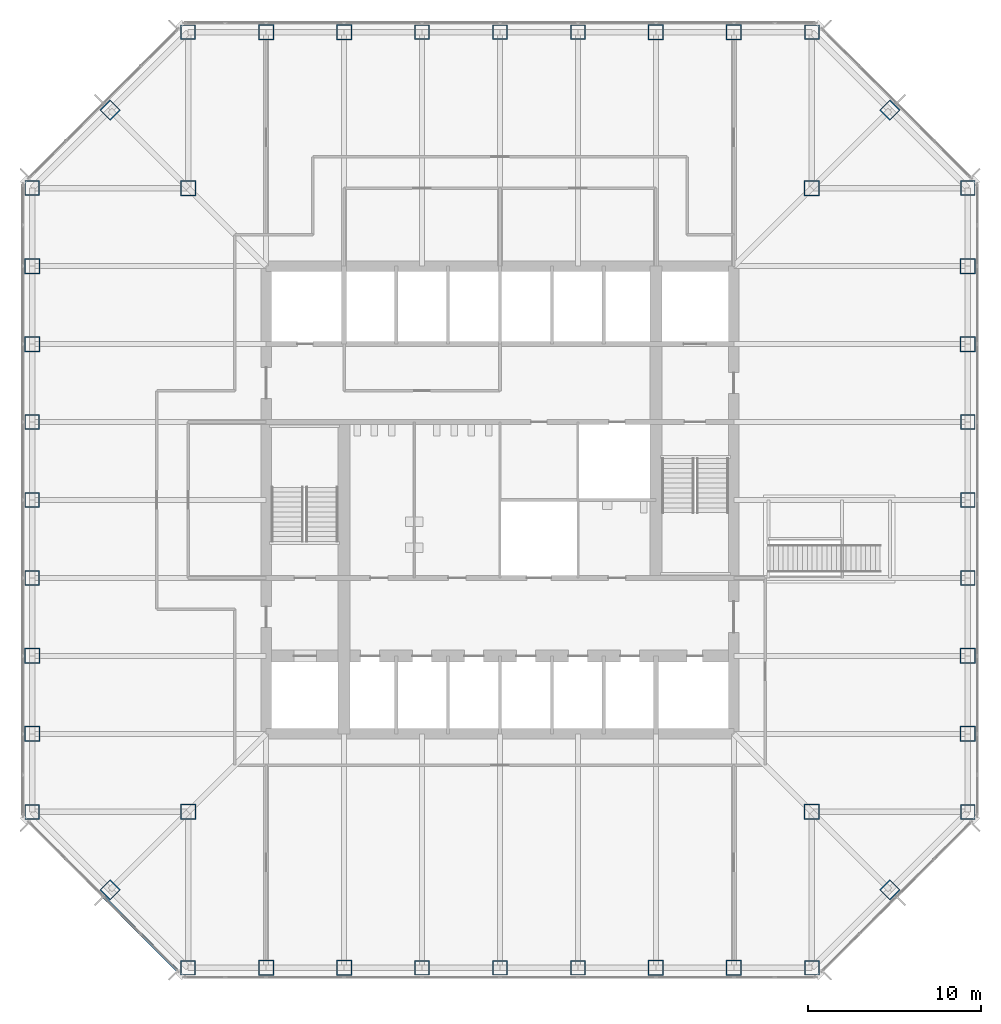
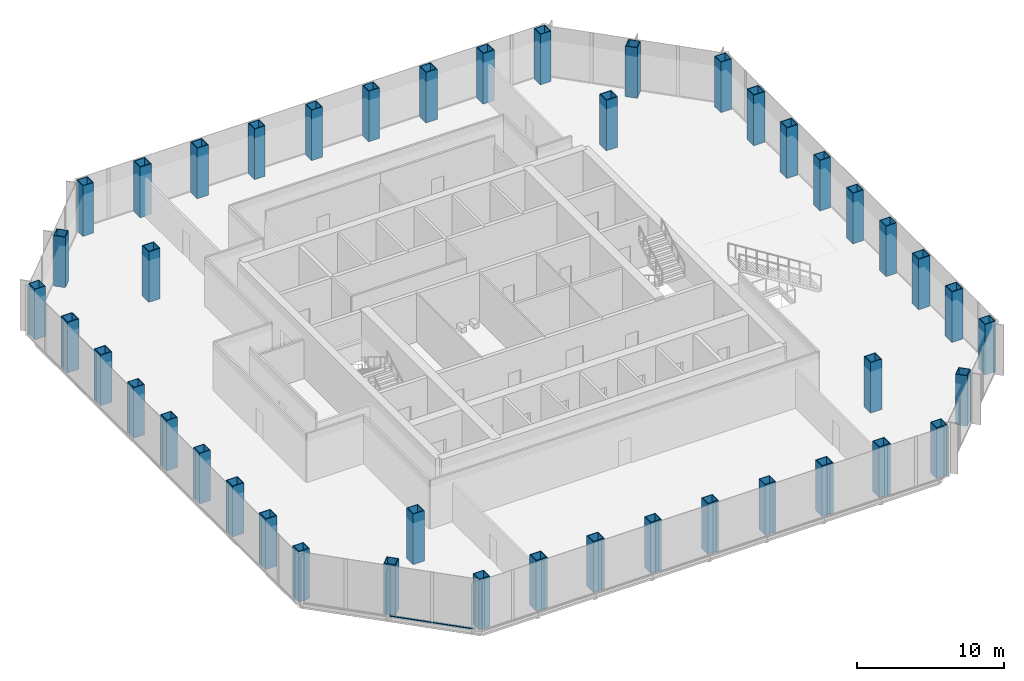
# One storey, part 1 of 12: 44 columns, 2 members, 1 element without a shape of its own.
"""IFC4 building model written with IfcOpenShell, lengths in metres."""

from ifc_helpers import new_model, si_unit, direction, frame, origin, origin_2d, place, context, subcontext, project, spatial, rectangle, hollow_rectangle, extrude, material, material_profile, profile_set, type_object, element, aggregate, save


model = new_model("IFC4")

# Units and contexts
model_context = context("Model", 3, precision=1e-05, world=origin(), true_north=direction((0.0, 1.0)))
body_context = subcontext(model_context, "Body", "Model", "MODEL_VIEW")
ifc_project = project(units=[si_unit("LENGTHUNIT", "METRE"), si_unit("AREAUNIT", "SQUARE_METRE"), si_unit("VOLUMEUNIT", "CUBIC_METRE"), si_unit("PLANEANGLEUNIT", "RADIAN"), si_unit("MASSUNIT", "GRAM", prefix="KILO")], contexts=[model_context])

# Site, building, storey
site_placement = place(None, origin())
site = spatial("IfcSite", under=ifc_project, at=site_placement, CompositionType="ELEMENT")
building_placement = place(site_placement, origin())
building = spatial("IfcBuilding", under=site, at=building_placement, Name="Corais Broadcast Tower", CompositionType="ELEMENT")
storey_placement = place(building_placement, frame((0.0, 0.0, 33.199951171875)))
storey = spatial("IfcBuildingStorey", under=building, at=storey_placement, Name="L06", CompositionType="ELEMENT", Elevation=33.199951171875)

# Columns
ifc_material_1 = material(Name="Steel ASTM A572 Grade 50", Category="steel")
ifc_material_profile_1 = material_profile(ifc_material_1, hollow_rectangle(XDim=0.85009765625, YDim=0.85009765625, WallThickness=0.050048828125, at=origin_2d()), Name="BOX 850x850x50")
ifc_profile_set_1 = profile_set([ifc_material_profile_1], Name="Steel ASTM A572 Grade 50")
column_type_1 = type_object("IfcColumnType", Name="Column BOX 850x850x50", PredefinedType="COLUMN", material=ifc_profile_set_1)
for number, where, z_axis, x_axis, name in (
    (1, (9.0, 0.0, 0.0), (0.0, 0.0, 1.0), (1.0, 0.0, 0.0), "C1 A/5"),
    (2, (22.5, 0.0, 0.0), (0.0, 0.0, 1.0), (1.0, 0.0, 0.0), "C1 A/8"),
    (3, (27.0, 0.0, 0.0), (0.0, 0.0, 1.0), (1.0, 0.0, 0.0), "C1 A/9"),
    (4, (31.5, 0.0, 0.0), (0.0, 0.0, 1.0), (1.0, 0.0, 0.0), "C1 A/10"),
    (5, (45.0, 0.0, 0.0), (0.0, 0.0, 1.0), (1.0, 0.0, 0.0), "C1 A/13"),
    (6, (54.0, 9.0, 0.0), (0.0, 0.0, 1.0), (1.0, 0.0, 0.0), "C1 C/15"),
    (7, (54.0, 22.5, 0.0), (0.0, 0.0, 1.0), (1.0, 0.0, 0.0), "C1 F/15"),
    (8, (54.0, 27.0, 0.0), (0.0, 0.0, 1.0), (1.0, 0.0, 0.0), "C1 G/15"),
    (9, (54.0, 31.5, 0.0), (0.0, 0.0, 1.0), (1.0, 0.0, 0.0), "C1 H/15"),
    (10, (54.0, 45.0, 0.0), (0.0, 0.0, 1.0), (1.0, 0.0, 0.0), "C1 L/15"),
    (11, (45.0, 54.0, 0.0), (0.0, 0.0, 1.0), (1.0, 0.0, 0.0), "C1 N/13"),
    (12, (31.5, 54.0, 0.0), (0.0, 0.0, 1.0), (1.0, 0.0, 0.0), "C1 N/10"),
    (13, (27.0, 54.0, 0.0), (0.0, 0.0, 1.0), (1.0, 0.0, 0.0), "C1 N/9"),
    (14, (22.5, 54.0, 0.0), (0.0, 0.0, 1.0), (1.0, 0.0, 0.0), "C1 N/8"),
    (15, (9.0, 54.0, 0.0), (0.0, 0.0, 1.0), (1.0, 0.0, 0.0), "C1 N/5"),
    (16, (0.0, 45.0, 0.0), (0.0, 0.0, 1.0), (1.0, 0.0, 0.0), "C1 L/3"),
    (17, (0.0, 31.5, 0.0), (0.0, 0.0, 1.0), (1.0, 0.0, 0.0), "C1 H/3"),
    (18, (0.0, 27.0, 0.0), (0.0, 0.0, 1.0), (1.0, 0.0, 0.0), "C1 G/3"),
    (19, (0.0, 22.5, 0.0), (0.0, 0.0, 1.0), (1.0, 0.0, 0.0), "C1 F/3"),
    (20, (0.0, 9.0, 0.0), (0.0, 0.0, 1.0), (1.0, 0.0, 0.0), "C1 C/3"),
    (21, (4.5, 4.5, 0.0), (0.0, 0.0, 1.0), (0.707106781187, 0.707106781187, 0.0), "C1 B/4"),
    (22, (49.5, 4.5, 0.0), (0.0, 0.0, 1.0), (0.707106781187, 0.707106781187, 0.0), "C1 B/14"),
    (23, (49.5, 49.5, 0.0), (0.0, 0.0, 1.0), (0.707106781187, 0.707106781187, 0.0), "C1 M/14"),
    (24, (4.5, 49.5, 0.0), (0.0, 0.0, 1.0), (0.707106781187, 0.707106781187, 0.0), "C1 M/4"),
):
    element("IfcColumn", number, at=place(storey_placement, frame(where, z_axis=z_axis, x_axis=x_axis)), inside=storey, type_object=column_type_1, Name=name, PredefinedType="COLUMN", context=body_context, shape_type="SweptSolid", body=[
        extrude(hollow_rectangle(XDim=0.85009765625, YDim=0.85009765625, WallThickness=0.050048828125, at=origin_2d()), origin(), (0.0, 0.0, 1.0), 4.199951171875),
    ])
ifc_material_2 = material(Name="Steel ASTM A572 Grade 50", Category="steel")
ifc_material_profile_2 = material_profile(ifc_material_2, hollow_rectangle(XDim=0.89990234375, YDim=0.89990234375, WallThickness=0.06298828125, at=origin_2d()), Name="BOX 900x900x63")
ifc_profile_set_2 = profile_set([ifc_material_profile_2], Name="Steel ASTM A572 Grade 50")
column_type_2 = type_object("IfcColumnType", Name="Column BOX 900x900x63", PredefinedType="COLUMN", material=ifc_profile_set_2)
for number, where, z_axis, x_axis, name in (
    (25, (13.5, 0.0, 0.0), (0.0, 0.0, 1.0), (1.0, 0.0, 0.0), "C2 A/6"),
    (26, (18.0, 0.0, 0.0), (0.0, 0.0, 1.0), (1.0, 0.0, 0.0), "C2 A/7"),
    (27, (36.0, 0.0, 0.0), (0.0, 0.0, 1.0), (1.0, 0.0, 0.0), "C2 A/11"),
    (28, (40.5, 0.0, 0.0), (0.0, 0.0, 1.0), (1.0, 0.0, 0.0), "C2 A/12"),
    (29, (54.0, 13.5, 0.0), (0.0, 0.0, 1.0), (1.0, 0.0, 0.0), "C2 D/15"),
    (30, (54.0, 18.0, 0.0), (0.0, 0.0, 1.0), (1.0, 0.0, 0.0), "C2 E/15"),
    (31, (54.0, 36.0, 0.0), (0.0, 0.0, 1.0), (1.0, 0.0, 0.0), "C2 J/15"),
    (32, (54.0, 40.5, 0.0), (0.0, 0.0, 1.0), (1.0, 0.0, 0.0), "C2 K/15"),
    (33, (40.5, 54.0, 0.0), (0.0, 0.0, 1.0), (1.0, 0.0, 0.0), "C2 N/12"),
    (34, (36.0, 54.0, 0.0), (0.0, 0.0, 1.0), (1.0, 0.0, 0.0), "C2 N/11"),
    (35, (18.0, 54.0, 0.0), (0.0, 0.0, 1.0), (1.0, 0.0, 0.0), "C2 N/7"),
    (36, (13.5, 54.0, 0.0), (0.0, 0.0, 1.0), (1.0, 0.0, 0.0), "C2 N/6"),
    (37, (0.0, 40.5, 0.0), (0.0, 0.0, 1.0), (1.0, 0.0, 0.0), "C2 K/3"),
    (38, (0.0, 36.0, 0.0), (0.0, 0.0, 1.0), (1.0, 0.0, 0.0), "C2 J/3"),
    (39, (0.0, 18.0, 0.0), (0.0, 0.0, 1.0), (1.0, 0.0, 0.0), "C2 E/3"),
    (40, (0.0, 13.5, 0.0), (0.0, 0.0, 1.0), (1.0, 0.0, 0.0), "C2 D/3"),
    (41, (9.0, 9.0, 0.0), (0.0, 0.0, 1.0), (1.0, 0.0, 0.0), "C2 C/5"),
    (42, (45.0, 9.0, 0.0), (0.0, 0.0, 1.0), (1.0, 0.0, 0.0), "C2 C/13"),
    (43, (45.0, 45.0, 0.0), (0.0, 0.0, 1.0), (1.0, 0.0, 0.0), "C2 L/13"),
    (44, (9.0, 45.0, 0.0), (0.0, 0.0, 1.0), (1.0, 0.0, 0.0), "C2 L/5"),
):
    element("IfcColumn", number, at=place(storey_placement, frame(where, z_axis=z_axis, x_axis=x_axis)), inside=storey, type_object=column_type_2, Name=name, PredefinedType="COLUMN", context=body_context, shape_type="SweptSolid", body=[
        extrude(hollow_rectangle(XDim=0.89990234375, YDim=0.89990234375, WallThickness=0.06298828125, at=origin_2d()), origin(), (0.0, 0.0, 1.0), 4.199951171875),
    ])

# Curtain wall, members
ifc_material_3 = material(Name="Aluminium and glass", Category="aluminium")
curtain_wall_type = type_object("IfcCurtainWallType", Name="Newsroom clear-glass curtain wall CW7", PredefinedType="NOTDEFINED", material=ifc_material_3)
curtain_wall_placement = place(storey_placement, origin())
curtain_wall = element("IfcCurtainWall", 45, at=curtain_wall_placement, inside=storey, type_object=curtain_wall_type, Name="CW7 curtain wall L06 1", PredefinedType="NOTDEFINED")
ifc_material_4 = material(Name="Aluminium 6063-T6", Category="aluminium")
ifc_material_profile_3 = material_profile(ifc_material_4, rectangle(XDim=0.14990234375, YDim=0.06494140625, at=origin_2d()), Name="Transom CW7 65x150")
ifc_profile_set_3 = profile_set([ifc_material_profile_3], Name="Aluminium 6063-T6")
member_type = type_object("IfcMemberType", Name="Transom CW7 65x150", PredefinedType="USERDEFINED", material=ifc_profile_set_3)
member_1_placement = place(storey_placement, frame((8.37255859375, -0.150390625, 0.032470703125), z_axis=(-0.707106781187, 0.707106781187, 0.0), x_axis=(-0.707106781187, -0.707106781187, 0.0)))
member_1 = element("IfcMember", 46, at=member_1_placement, type_object=member_type, Name="CW7 transom 1.1", ObjectType="TRANSOM", PredefinedType="USERDEFINED", context=body_context, shape_type="SweptSolid", body=[
    extrude(rectangle(XDim=0.14990234375, YDim=0.06494140625, at=origin_2d()), origin(), (0.0, 0.0, 1.0), 2.9482421875),
])
member_2_placement = place(storey_placement, frame((6.241943359375, 1.980224609375, 0.032470703125), z_axis=(-0.707106781187, 0.707106781187, 0.0), x_axis=(-0.707106781187, -0.707106781187, 0.0)))
member_2 = element("IfcMember", 47, at=member_2_placement, type_object=member_type, Name="CW7 transom 2.1", ObjectType="TRANSOM", PredefinedType="USERDEFINED", context=body_context, shape_type="SweptSolid", body=[
    extrude(rectangle(XDim=0.14990234375, YDim=0.06494140625, at=origin_2d()), origin(), (0.0, 0.0, 1.0), 2.98095703125),
])
aggregate(curtain_wall, [member_1, member_2])

save(model, "model.ifc")
